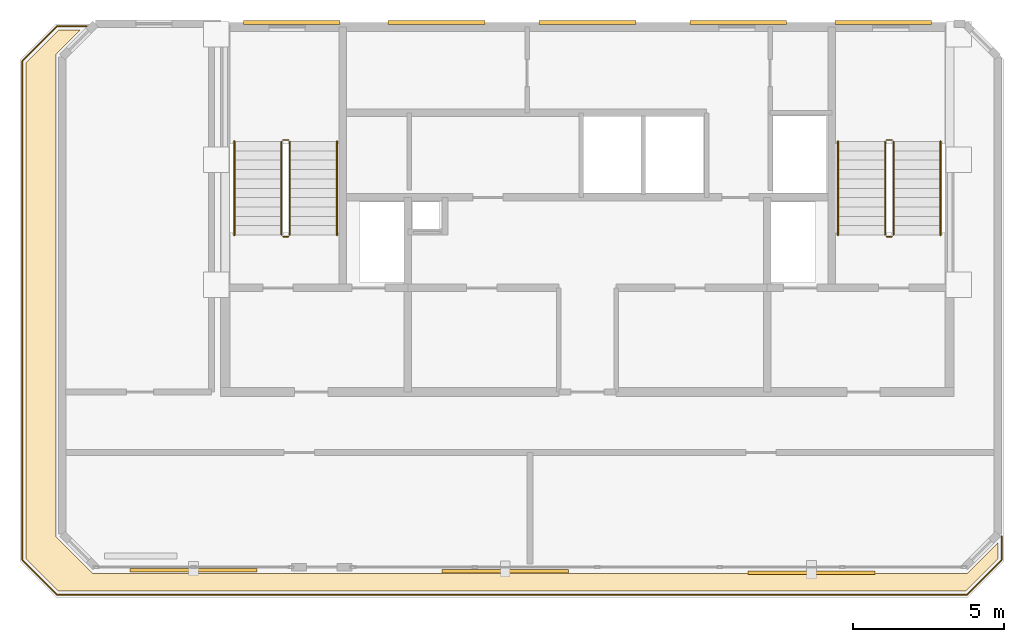
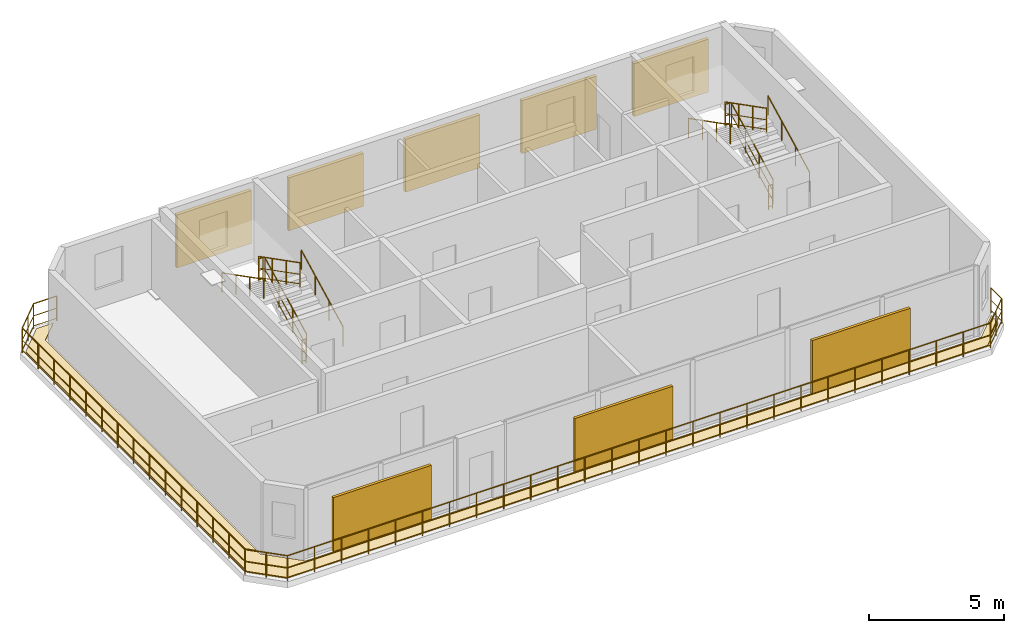
# One storey, part 6 of 6: 13 railings, 8 shading devices, 1 covering.
"""IFC4 building model written with IfcOpenShell, lengths in metres."""

from ifc_helpers import new_model, si_unit, direction, frame, origin, origin_2d, place, context, subcontext, project, spatial, polyline, rectangle, circle, outline, extrude, material, layer, layer_set, type_object, element, save


model = new_model("IFC4")

# Units and contexts
model_context = context("Model", 3, precision=1e-05, world=origin(), true_north=direction((0.0, 1.0)))
body_context = subcontext(model_context, "Body", "Model", "MODEL_VIEW")
ifc_project = project(units=[si_unit("LENGTHUNIT", "METRE"), si_unit("AREAUNIT", "SQUARE_METRE"), si_unit("VOLUMEUNIT", "CUBIC_METRE"), si_unit("PLANEANGLEUNIT", "RADIAN"), si_unit("MASSUNIT", "GRAM", prefix="KILO")], contexts=[model_context])

# Site, building, storey
site_placement = place(None, origin())
site = spatial("IfcSite", under=ifc_project, at=site_placement, CompositionType="ELEMENT")
building_placement = place(site_placement, origin())
building = spatial("IfcBuilding", under=site, at=building_placement, Name="Catumbela Crestline Tower", CompositionType="ELEMENT")
storey_placement = place(building_placement, frame((0.0, 0.0, 301.0)))
storey = spatial("IfcBuildingStorey", under=building, at=storey_placement, Name="L77", CompositionType="ELEMENT", Elevation=301.0)

# Covering
ifc_material_1 = material(Name="Polymer-modified bitumen and XPS roof membrane")
ifc_layer = layer(ifc_material_1, 0.05, Name="Polymer-modified bitumen and XPS roof membrane")
ifc_layer_set = layer_set([ifc_layer], Name="Polymer-modified bitumen and XPS roof membrane")
covering_type = type_object("IfcCoveringType", Name="CR-MEM", PredefinedType="ROOFING", material=ifc_layer_set)
covering_placement = place(storey_placement, origin())
element("IfcCovering", 1, at=covering_placement, inside=storey, type_object=covering_type, Name="L77 Crown Terrace Waterproofing Membrane 1", PredefinedType="ROOFING", context=body_context, shape_type="SweptSolid", body=[
    extrude(outline(polyline([(41.6, 25.803), (41.6, 25.2828), (40.5172, 24.2), (10.4828, 24.2), (9.4, 25.2828), (9.4, 41.7172), (10.4828, 42.8), (11.203, 42.8), (10.39, 41.987), (10.39, 26.013), (11.613, 24.79), (40.587, 24.79), (41.6, 25.803)])), origin(), (0.0, 0.0, 1.0), 0.05),
])

# Railings
ifc_material_2 = material(Name="Stainless steel EN 1.4401", Category="steel")
railing_type_1 = type_object("IfcRailingType", Name="RG-1100", PredefinedType="GUARDRAIL", material=ifc_material_2)
railing_1_placement = place(storey_placement, frame((18.14, 36.0, 0.1591)))
element("IfcRailing", 2, at=railing_1_placement, inside=storey, type_object=railing_type_1, Name="L77 ST-01 stair guard 1", PredefinedType="GUARDRAIL", context=body_context, shape_type="SweptSolid", body=[
    extrude(circle(Radius=0.024, at=origin_2d()), frame((0.0, 0.0, 1.076), z_axis=(0.0, 0.889682666616, 0.456579404619), x_axis=(-1.0, 0.0, 0.0)), (0.0, 0.0, 1.0), 3.4844),
    extrude(circle(Radius=0.0156, at=origin_2d()), frame((0.0, 0.0, 0.55), z_axis=(0.0, 0.889682666616, 0.456579404619), x_axis=(-1.0, 0.0, 0.0)), (0.0, 0.0, 1.0), 3.4844),
    extrude(circle(Radius=0.0156, at=origin_2d()), frame((0.0, 0.0, 0.12), z_axis=(0.0, 0.889682666616, 0.456579404619), x_axis=(-1.0, 0.0, 0.0)), (0.0, 0.0, 1.0), 3.4844),
    extrude(circle(Radius=0.021, at=origin_2d()), origin(), (0.0, 0.0, 1.0), 1.052),
    extrude(circle(Radius=0.021, at=origin_2d()), frame((0.0, 1.0333, 0.5303)), (0.0, 0.0, 1.0), 1.052),
    extrude(circle(Radius=0.021, at=origin_2d()), frame((0.0, 2.0667, 1.0606)), (0.0, 0.0, 1.0), 1.052),
    extrude(circle(Radius=0.021, at=origin_2d()), frame((0.0, 3.1, 1.5909)), (0.0, 0.0, 1.0), 1.052),
])
railing_2_placement = place(storey_placement, frame((18.09, 39.15, 1.75)))
element("IfcRailing", 3, at=railing_2_placement, inside=storey, type_object=railing_type_1, Name="L77 ST-01 stair guard 2", PredefinedType="GUARDRAIL", context=body_context, shape_type="SweptSolid", body=[
    extrude(circle(Radius=0.024, at=origin_2d()), frame((0.0, 0.0, 1.076), z_axis=(-1.0, 0.0, 0.0), x_axis=(0.0, -1.0, 0.0)), (0.0, 0.0, 1.0), 0.18),
    extrude(circle(Radius=0.0156, at=origin_2d()), frame((0.0, 0.0, 0.55), z_axis=(-1.0, 0.0, 0.0), x_axis=(0.0, -1.0, 0.0)), (0.0, 0.0, 1.0), 0.18),
    extrude(circle(Radius=0.0156, at=origin_2d()), frame((0.0, 0.0, 0.12), z_axis=(-1.0, 0.0, 0.0), x_axis=(0.0, -1.0, 0.0)), (0.0, 0.0, 1.0), 0.18),
    extrude(circle(Radius=0.021, at=origin_2d()), origin(), (0.0, 0.0, 1.0), 1.052),
    extrude(circle(Radius=0.021, at=origin_2d()), frame((-0.18, 0.0, 0.0)), (0.0, 0.0, 1.0), 1.052),
])
railing_3_placement = place(storey_placement, frame((17.86, 39.1, 1.9091)))
element("IfcRailing", 4, at=railing_3_placement, inside=storey, type_object=railing_type_1, Name="L77 ST-01 stair guard 3", PredefinedType="GUARDRAIL", context=body_context, shape_type="SweptSolid", body=[
    extrude(circle(Radius=0.024, at=origin_2d()), frame((0.0, 0.0, 1.076), z_axis=(0.0, -0.889682666616, 0.456579404619), x_axis=(1.0, 0.0, 0.0)), (0.0, 0.0, 1.0), 3.4844),
    extrude(circle(Radius=0.0156, at=origin_2d()), frame((0.0, 0.0, 0.55), z_axis=(0.0, -0.889682666616, 0.456579404619), x_axis=(1.0, 0.0, 0.0)), (0.0, 0.0, 1.0), 3.4844),
    extrude(circle(Radius=0.0156, at=origin_2d()), frame((0.0, 0.0, 0.12), z_axis=(0.0, -0.889682666616, 0.456579404619), x_axis=(1.0, 0.0, 0.0)), (0.0, 0.0, 1.0), 3.4844),
    extrude(circle(Radius=0.021, at=origin_2d()), origin(), (0.0, 0.0, 1.0), 1.052),
    extrude(circle(Radius=0.021, at=origin_2d()), frame((0.0, -1.0333, 0.5303)), (0.0, 0.0, 1.0), 1.052),
    extrude(circle(Radius=0.021, at=origin_2d()), frame((0.0, -2.0667, 1.0606)), (0.0, 0.0, 1.0), 1.052),
    extrude(circle(Radius=0.021, at=origin_2d()), frame((0.0, -3.1, 1.5909)), (0.0, 0.0, 1.0), 1.052),
])
railing_4_placement = place(storey_placement, frame((18.09, 35.95, 0.0)))
element("IfcRailing", 5, at=railing_4_placement, inside=storey, type_object=railing_type_1, Name="L77 ST-01 stair guard 4", PredefinedType="GUARDRAIL", context=body_context, shape_type="SweptSolid", body=[
    extrude(circle(Radius=0.024, at=origin_2d()), frame((0.0, 0.0, 1.076), z_axis=(-1.0, 0.0, 0.0), x_axis=(0.0, -1.0, 0.0)), (0.0, 0.0, 1.0), 0.18),
    extrude(circle(Radius=0.0156, at=origin_2d()), frame((0.0, 0.0, 0.55), z_axis=(-1.0, 0.0, 0.0), x_axis=(0.0, -1.0, 0.0)), (0.0, 0.0, 1.0), 0.18),
    extrude(circle(Radius=0.0156, at=origin_2d()), frame((0.0, 0.0, 0.12), z_axis=(-1.0, 0.0, 0.0), x_axis=(0.0, -1.0, 0.0)), (0.0, 0.0, 1.0), 0.18),
    extrude(circle(Radius=0.021, at=origin_2d()), origin(), (0.0, 0.0, 1.0), 1.052),
    extrude(circle(Radius=0.021, at=origin_2d()), frame((-0.18, 0.0, 0.0)), (0.0, 0.0, 1.0), 1.052),
])
railing_5_placement = place(storey_placement, frame((38.14, 36.0, 0.1591)))
element("IfcRailing", 6, at=railing_5_placement, inside=storey, type_object=railing_type_1, Name="L77 ST-02 stair guard 1", PredefinedType="GUARDRAIL", context=body_context, shape_type="SweptSolid", body=[
    extrude(circle(Radius=0.024, at=origin_2d()), frame((0.0, 0.0, 1.076), z_axis=(0.0, 0.889682666616, 0.456579404619), x_axis=(-1.0, 0.0, 0.0)), (0.0, 0.0, 1.0), 3.4844),
    extrude(circle(Radius=0.0156, at=origin_2d()), frame((0.0, 0.0, 0.55), z_axis=(0.0, 0.889682666616, 0.456579404619), x_axis=(-1.0, 0.0, 0.0)), (0.0, 0.0, 1.0), 3.4844),
    extrude(circle(Radius=0.0156, at=origin_2d()), frame((0.0, 0.0, 0.12), z_axis=(0.0, 0.889682666616, 0.456579404619), x_axis=(-1.0, 0.0, 0.0)), (0.0, 0.0, 1.0), 3.4844),
    extrude(circle(Radius=0.021, at=origin_2d()), origin(), (0.0, 0.0, 1.0), 1.052),
    extrude(circle(Radius=0.021, at=origin_2d()), frame((0.0, 1.0333, 0.5303)), (0.0, 0.0, 1.0), 1.052),
    extrude(circle(Radius=0.021, at=origin_2d()), frame((0.0, 2.0667, 1.0606)), (0.0, 0.0, 1.0), 1.052),
    extrude(circle(Radius=0.021, at=origin_2d()), frame((0.0, 3.1, 1.5909)), (0.0, 0.0, 1.0), 1.052),
])
railing_6_placement = place(storey_placement, frame((38.09, 39.15, 1.75)))
element("IfcRailing", 7, at=railing_6_placement, inside=storey, type_object=railing_type_1, Name="L77 ST-02 stair guard 2", PredefinedType="GUARDRAIL", context=body_context, shape_type="SweptSolid", body=[
    extrude(circle(Radius=0.024, at=origin_2d()), frame((0.0, 0.0, 1.076), z_axis=(-1.0, 0.0, 0.0), x_axis=(0.0, -1.0, 0.0)), (0.0, 0.0, 1.0), 0.18),
    extrude(circle(Radius=0.0156, at=origin_2d()), frame((0.0, 0.0, 0.55), z_axis=(-1.0, 0.0, 0.0), x_axis=(0.0, -1.0, 0.0)), (0.0, 0.0, 1.0), 0.18),
    extrude(circle(Radius=0.0156, at=origin_2d()), frame((0.0, 0.0, 0.12), z_axis=(-1.0, 0.0, 0.0), x_axis=(0.0, -1.0, 0.0)), (0.0, 0.0, 1.0), 0.18),
    extrude(circle(Radius=0.021, at=origin_2d()), origin(), (0.0, 0.0, 1.0), 1.052),
    extrude(circle(Radius=0.021, at=origin_2d()), frame((-0.18, 0.0, 0.0)), (0.0, 0.0, 1.0), 1.052),
])
railing_7_placement = place(storey_placement, frame((37.86, 39.1, 1.9091)))
element("IfcRailing", 8, at=railing_7_placement, inside=storey, type_object=railing_type_1, Name="L77 ST-02 stair guard 3", PredefinedType="GUARDRAIL", context=body_context, shape_type="SweptSolid", body=[
    extrude(circle(Radius=0.024, at=origin_2d()), frame((0.0, 0.0, 1.076), z_axis=(0.0, -0.889682666616, 0.456579404619), x_axis=(1.0, 0.0, 0.0)), (0.0, 0.0, 1.0), 3.4844),
    extrude(circle(Radius=0.0156, at=origin_2d()), frame((0.0, 0.0, 0.55), z_axis=(0.0, -0.889682666616, 0.456579404619), x_axis=(1.0, 0.0, 0.0)), (0.0, 0.0, 1.0), 3.4844),
    extrude(circle(Radius=0.0156, at=origin_2d()), frame((0.0, 0.0, 0.12), z_axis=(0.0, -0.889682666616, 0.456579404619), x_axis=(1.0, 0.0, 0.0)), (0.0, 0.0, 1.0), 3.4844),
    extrude(circle(Radius=0.021, at=origin_2d()), origin(), (0.0, 0.0, 1.0), 1.052),
    extrude(circle(Radius=0.021, at=origin_2d()), frame((0.0, -1.0333, 0.5303)), (0.0, 0.0, 1.0), 1.052),
    extrude(circle(Radius=0.021, at=origin_2d()), frame((0.0, -2.0667, 1.0606)), (0.0, 0.0, 1.0), 1.052),
    extrude(circle(Radius=0.021, at=origin_2d()), frame((0.0, -3.1, 1.5909)), (0.0, 0.0, 1.0), 1.052),
])
railing_8_placement = place(storey_placement, frame((38.09, 35.95, 0.0)))
element("IfcRailing", 9, at=railing_8_placement, inside=storey, type_object=railing_type_1, Name="L77 ST-02 stair guard 4", PredefinedType="GUARDRAIL", context=body_context, shape_type="SweptSolid", body=[
    extrude(circle(Radius=0.024, at=origin_2d()), frame((0.0, 0.0, 1.076), z_axis=(-1.0, 0.0, 0.0), x_axis=(0.0, -1.0, 0.0)), (0.0, 0.0, 1.0), 0.18),
    extrude(circle(Radius=0.0156, at=origin_2d()), frame((0.0, 0.0, 0.55), z_axis=(-1.0, 0.0, 0.0), x_axis=(0.0, -1.0, 0.0)), (0.0, 0.0, 1.0), 0.18),
    extrude(circle(Radius=0.0156, at=origin_2d()), frame((0.0, 0.0, 0.12), z_axis=(-1.0, 0.0, 0.0), x_axis=(0.0, -1.0, 0.0)), (0.0, 0.0, 1.0), 0.18),
    extrude(circle(Radius=0.021, at=origin_2d()), origin(), (0.0, 0.0, 1.0), 1.052),
    extrude(circle(Radius=0.021, at=origin_2d()), frame((-0.18, 0.0, 0.0)), (0.0, 0.0, 1.0), 1.052),
])
railing_type_2 = type_object("IfcRailingType", Name="RH-0900", PredefinedType="HANDRAIL", material=ifc_material_2)
railing_9_placement = place(storey_placement, frame((19.7, 36.0, 0.1591)))
element("IfcRailing", 10, at=railing_9_placement, inside=storey, type_object=railing_type_2, Name="L77 ST-01 stair handrail 1", PredefinedType="HANDRAIL", context=body_context, shape_type="SweptSolid", body=[
    extrude(circle(Radius=0.024, at=origin_2d()), frame((0.0, 0.0, 0.876), z_axis=(0.0, 0.889682666616, 0.456579404619), x_axis=(-1.0, 0.0, 0.0)), (0.0, 0.0, 1.0), 3.4844),
    extrude(circle(Radius=0.021, at=origin_2d()), origin(), (0.0, 0.0, 1.0), 0.852),
    extrude(circle(Radius=0.021, at=origin_2d()), frame((0.0, 1.0333, 0.5303)), (0.0, 0.0, 1.0), 0.852),
    extrude(circle(Radius=0.021, at=origin_2d()), frame((0.0, 2.0667, 1.0606)), (0.0, 0.0, 1.0), 0.852),
    extrude(circle(Radius=0.021, at=origin_2d()), frame((0.0, 3.1, 1.5909)), (0.0, 0.0, 1.0), 0.852),
])
railing_10_placement = place(storey_placement, frame((16.3, 39.1, 1.9091)))
element("IfcRailing", 11, at=railing_10_placement, inside=storey, type_object=railing_type_2, Name="L77 ST-01 stair handrail 2", PredefinedType="HANDRAIL", context=body_context, shape_type="SweptSolid", body=[
    extrude(circle(Radius=0.024, at=origin_2d()), frame((0.0, 0.0, 0.876), z_axis=(0.0, -0.889682666616, 0.456579404619), x_axis=(1.0, 0.0, 0.0)), (0.0, 0.0, 1.0), 3.4844),
    extrude(circle(Radius=0.021, at=origin_2d()), origin(), (0.0, 0.0, 1.0), 0.852),
    extrude(circle(Radius=0.021, at=origin_2d()), frame((0.0, -1.0333, 0.5303)), (0.0, 0.0, 1.0), 0.852),
    extrude(circle(Radius=0.021, at=origin_2d()), frame((0.0, -2.0667, 1.0606)), (0.0, 0.0, 1.0), 0.852),
    extrude(circle(Radius=0.021, at=origin_2d()), frame((0.0, -3.1, 1.5909)), (0.0, 0.0, 1.0), 0.852),
])
railing_11_placement = place(storey_placement, frame((39.7, 36.0, 0.1591)))
element("IfcRailing", 12, at=railing_11_placement, inside=storey, type_object=railing_type_2, Name="L77 ST-02 stair handrail 1", PredefinedType="HANDRAIL", context=body_context, shape_type="SweptSolid", body=[
    extrude(circle(Radius=0.024, at=origin_2d()), frame((0.0, 0.0, 0.876), z_axis=(0.0, 0.889682666616, 0.456579404619), x_axis=(-1.0, 0.0, 0.0)), (0.0, 0.0, 1.0), 3.4844),
    extrude(circle(Radius=0.021, at=origin_2d()), origin(), (0.0, 0.0, 1.0), 0.852),
    extrude(circle(Radius=0.021, at=origin_2d()), frame((0.0, 1.0333, 0.5303)), (0.0, 0.0, 1.0), 0.852),
    extrude(circle(Radius=0.021, at=origin_2d()), frame((0.0, 2.0667, 1.0606)), (0.0, 0.0, 1.0), 0.852),
    extrude(circle(Radius=0.021, at=origin_2d()), frame((0.0, 3.1, 1.5909)), (0.0, 0.0, 1.0), 0.852),
])
railing_12_placement = place(storey_placement, frame((36.3, 39.1, 1.9091)))
element("IfcRailing", 13, at=railing_12_placement, inside=storey, type_object=railing_type_2, Name="L77 ST-02 stair handrail 2", PredefinedType="HANDRAIL", context=body_context, shape_type="SweptSolid", body=[
    extrude(circle(Radius=0.024, at=origin_2d()), frame((0.0, 0.0, 0.876), z_axis=(0.0, -0.889682666616, 0.456579404619), x_axis=(1.0, 0.0, 0.0)), (0.0, 0.0, 1.0), 3.4844),
    extrude(circle(Radius=0.021, at=origin_2d()), origin(), (0.0, 0.0, 1.0), 0.852),
    extrude(circle(Radius=0.021, at=origin_2d()), frame((0.0, -1.0333, 0.5303)), (0.0, 0.0, 1.0), 0.852),
    extrude(circle(Radius=0.021, at=origin_2d()), frame((0.0, -2.0667, 1.0606)), (0.0, 0.0, 1.0), 0.852),
    extrude(circle(Radius=0.021, at=origin_2d()), frame((0.0, -3.1, 1.5909)), (0.0, 0.0, 1.0), 0.852),
])
railing_type_3 = type_object("IfcRailingType", Name="RT-1150", PredefinedType="BALUSTRADE", material=ifc_material_2)
railing_13_placement = place(storey_placement, frame((41.72, 26.022, 0.0)))
element("IfcRailing", 14, at=railing_13_placement, inside=storey, type_object=railing_type_3, Name="L77 Stepped Terrace Balustrade 1-1", PredefinedType="BALUSTRADE", context=body_context, shape_type="SweptSolid", body=[
    extrude(circle(Radius=0.024, at=origin_2d()), frame((0.0, 0.0, 1.126), z_axis=(0.0, -1.0, 0.0), x_axis=(1.0, 0.0, 0.0)), (0.0, 0.0, 1.0), 0.7889),
    extrude(circle(Radius=0.0156, at=origin_2d()), frame((0.0, 0.0, 0.575), z_axis=(0.0, -1.0, 0.0), x_axis=(1.0, 0.0, 0.0)), (0.0, 0.0, 1.0), 0.7889),
    extrude(circle(Radius=0.0156, at=origin_2d()), frame((0.0, 0.0, 0.12), z_axis=(0.0, -1.0, 0.0), x_axis=(1.0, 0.0, 0.0)), (0.0, 0.0, 1.0), 0.7889),
    extrude(circle(Radius=0.024, at=origin_2d()), frame((0.0, -0.7889, 1.126), z_axis=(-0.707106781187, -0.707106781187, 0.0), x_axis=(0.707106781187, -0.707106781187, 0.0)), (0.0, 0.0, 1.0), 1.6307),
    extrude(circle(Radius=0.0156, at=origin_2d()), frame((0.0, -0.7889, 0.575), z_axis=(-0.707106781187, -0.707106781187, 0.0), x_axis=(0.707106781187, -0.707106781187, 0.0)), (0.0, 0.0, 1.0), 1.6307),
    extrude(circle(Radius=0.0156, at=origin_2d()), frame((0.0, -0.7889, 0.12), z_axis=(-0.707106781187, -0.707106781187, 0.0), x_axis=(0.707106781187, -0.707106781187, 0.0)), (0.0, 0.0, 1.0), 1.6307),
    extrude(circle(Radius=0.024, at=origin_2d()), frame((-1.1531, -1.942, 1.126), z_axis=(-1.0, 0.0, 0.0), x_axis=(0.0, -1.0, 0.0)), (0.0, 0.0, 1.0), 30.1338),
    extrude(circle(Radius=0.0156, at=origin_2d()), frame((-1.1531, -1.942, 0.575), z_axis=(-1.0, 0.0, 0.0), x_axis=(0.0, -1.0, 0.0)), (0.0, 0.0, 1.0), 30.1338),
    extrude(circle(Radius=0.0156, at=origin_2d()), frame((-1.1531, -1.942, 0.12), z_axis=(-1.0, 0.0, 0.0), x_axis=(0.0, -1.0, 0.0)), (0.0, 0.0, 1.0), 30.1338),
    extrude(circle(Radius=0.024, at=origin_2d()), frame((-31.2869, -1.942, 1.126), z_axis=(-0.707106781187, 0.707106781187, 0.0), x_axis=(-0.707106781187, -0.707106781187, 0.0)), (0.0, 0.0, 1.0), 1.6307),
    extrude(circle(Radius=0.0156, at=origin_2d()), frame((-31.2869, -1.942, 0.575), z_axis=(-0.707106781187, 0.707106781187, 0.0), x_axis=(-0.707106781187, -0.707106781187, 0.0)), (0.0, 0.0, 1.0), 1.6307),
    extrude(circle(Radius=0.0156, at=origin_2d()), frame((-31.2869, -1.942, 0.12), z_axis=(-0.707106781187, 0.707106781187, 0.0), x_axis=(-0.707106781187, -0.707106781187, 0.0)), (0.0, 0.0, 1.0), 1.6307),
    extrude(circle(Radius=0.024, at=origin_2d()), frame((-32.44, -0.7889, 1.126), z_axis=(0.0, 1.0, 0.0), x_axis=(-1.0, 0.0, 0.0)), (0.0, 0.0, 1.0), 16.5338),
    extrude(circle(Radius=0.0156, at=origin_2d()), frame((-32.44, -0.7889, 0.575), z_axis=(0.0, 1.0, 0.0), x_axis=(-1.0, 0.0, 0.0)), (0.0, 0.0, 1.0), 16.5338),
    extrude(circle(Radius=0.0156, at=origin_2d()), frame((-32.44, -0.7889, 0.12), z_axis=(0.0, 1.0, 0.0), x_axis=(-1.0, 0.0, 0.0)), (0.0, 0.0, 1.0), 16.5338),
    extrude(circle(Radius=0.024, at=origin_2d()), frame((-32.44, 15.7449, 1.126), z_axis=(0.707106781187, 0.707106781187, 0.0), x_axis=(-0.707106781187, 0.707106781187, 0.0)), (0.0, 0.0, 1.0), 1.6307),
    extrude(circle(Radius=0.0156, at=origin_2d()), frame((-32.44, 15.7449, 0.575), z_axis=(0.707106781187, 0.707106781187, 0.0), x_axis=(-0.707106781187, 0.707106781187, 0.0)), (0.0, 0.0, 1.0), 1.6307),
    extrude(circle(Radius=0.0156, at=origin_2d()), frame((-32.44, 15.7449, 0.12), z_axis=(0.707106781187, 0.707106781187, 0.0), x_axis=(-0.707106781187, 0.707106781187, 0.0)), (0.0, 0.0, 1.0), 1.6307),
    extrude(circle(Radius=0.024, at=origin_2d()), frame((-31.2869, 16.898, 1.126), z_axis=(1.0, 0.0, 0.0), x_axis=(0.0, 1.0, 0.0)), (0.0, 0.0, 1.0), 0.9889),
    extrude(circle(Radius=0.0156, at=origin_2d()), frame((-31.2869, 16.898, 0.575), z_axis=(1.0, 0.0, 0.0), x_axis=(0.0, 1.0, 0.0)), (0.0, 0.0, 1.0), 0.9889),
    extrude(circle(Radius=0.0156, at=origin_2d()), frame((-31.2869, 16.898, 0.12), z_axis=(1.0, 0.0, 0.0), x_axis=(0.0, 1.0, 0.0)), (0.0, 0.0, 1.0), 0.9889),
    extrude(circle(Radius=0.021, at=origin_2d()), origin(), (0.0, 0.0, 1.0), 1.102),
    extrude(circle(Radius=0.021, at=origin_2d()), frame((0.0, -0.7889, 0.0)), (0.0, 0.0, 1.0), 1.102),
    extrude(circle(Radius=0.021, at=origin_2d()), frame((-0.5766, -1.3654, 0.0)), (0.0, 0.0, 1.0), 1.102),
    extrude(circle(Radius=0.021, at=origin_2d()), frame((-1.1531, -1.942, 0.0)), (0.0, 0.0, 1.0), 1.102),
    extrude(circle(Radius=0.021, at=origin_2d()), frame((-2.3121, -1.942, 0.0)), (0.0, 0.0, 1.0), 1.102),
    extrude(circle(Radius=0.021, at=origin_2d()), frame((-3.4711, -1.942, 0.0)), (0.0, 0.0, 1.0), 1.102),
    extrude(circle(Radius=0.021, at=origin_2d()), frame((-4.6301, -1.942, 0.0)), (0.0, 0.0, 1.0), 1.102),
    extrude(circle(Radius=0.021, at=origin_2d()), frame((-5.7891, -1.942, 0.0)), (0.0, 0.0, 1.0), 1.102),
    extrude(circle(Radius=0.021, at=origin_2d()), frame((-6.9481, -1.942, 0.0)), (0.0, 0.0, 1.0), 1.102),
    extrude(circle(Radius=0.021, at=origin_2d()), frame((-8.1071, -1.942, 0.0)), (0.0, 0.0, 1.0), 1.102),
    extrude(circle(Radius=0.021, at=origin_2d()), frame((-9.266, -1.942, 0.0)), (0.0, 0.0, 1.0), 1.102),
    extrude(circle(Radius=0.021, at=origin_2d()), frame((-10.425, -1.942, 0.0)), (0.0, 0.0, 1.0), 1.102),
    extrude(circle(Radius=0.021, at=origin_2d()), frame((-11.584, -1.942, 0.0)), (0.0, 0.0, 1.0), 1.102),
    extrude(circle(Radius=0.021, at=origin_2d()), frame((-12.743, -1.942, 0.0)), (0.0, 0.0, 1.0), 1.102),
    extrude(circle(Radius=0.021, at=origin_2d()), frame((-13.902, -1.942, 0.0)), (0.0, 0.0, 1.0), 1.102),
    extrude(circle(Radius=0.021, at=origin_2d()), frame((-15.061, -1.942, 0.0)), (0.0, 0.0, 1.0), 1.102),
    extrude(circle(Radius=0.021, at=origin_2d()), frame((-16.22, -1.942, 0.0)), (0.0, 0.0, 1.0), 1.102),
    extrude(circle(Radius=0.021, at=origin_2d()), frame((-17.379, -1.942, 0.0)), (0.0, 0.0, 1.0), 1.102),
    extrude(circle(Radius=0.021, at=origin_2d()), frame((-18.538, -1.942, 0.0)), (0.0, 0.0, 1.0), 1.102),
    extrude(circle(Radius=0.021, at=origin_2d()), frame((-19.697, -1.942, 0.0)), (0.0, 0.0, 1.0), 1.102),
    extrude(circle(Radius=0.021, at=origin_2d()), frame((-20.856, -1.942, 0.0)), (0.0, 0.0, 1.0), 1.102),
    extrude(circle(Radius=0.021, at=origin_2d()), frame((-22.015, -1.942, 0.0)), (0.0, 0.0, 1.0), 1.102),
    extrude(circle(Radius=0.021, at=origin_2d()), frame((-23.174, -1.942, 0.0)), (0.0, 0.0, 1.0), 1.102),
    extrude(circle(Radius=0.021, at=origin_2d()), frame((-24.3329, -1.942, 0.0)), (0.0, 0.0, 1.0), 1.102),
    extrude(circle(Radius=0.021, at=origin_2d()), frame((-25.4919, -1.942, 0.0)), (0.0, 0.0, 1.0), 1.102),
    extrude(circle(Radius=0.021, at=origin_2d()), frame((-26.6509, -1.942, 0.0)), (0.0, 0.0, 1.0), 1.102),
    extrude(circle(Radius=0.021, at=origin_2d()), frame((-27.8099, -1.942, 0.0)), (0.0, 0.0, 1.0), 1.102),
    extrude(circle(Radius=0.021, at=origin_2d()), frame((-28.9689, -1.942, 0.0)), (0.0, 0.0, 1.0), 1.102),
    extrude(circle(Radius=0.021, at=origin_2d()), frame((-30.1279, -1.942, 0.0)), (0.0, 0.0, 1.0), 1.102),
    extrude(circle(Radius=0.021, at=origin_2d()), frame((-31.2869, -1.942, 0.0)), (0.0, 0.0, 1.0), 1.102),
    extrude(circle(Radius=0.021, at=origin_2d()), frame((-31.8634, -1.3654, 0.0)), (0.0, 0.0, 1.0), 1.102),
    extrude(circle(Radius=0.021, at=origin_2d()), frame((-32.44, -0.7889, 0.0)), (0.0, 0.0, 1.0), 1.102),
    extrude(circle(Radius=0.021, at=origin_2d()), frame((-32.44, 0.3921, 0.0)), (0.0, 0.0, 1.0), 1.102),
    extrude(circle(Radius=0.021, at=origin_2d()), frame((-32.44, 1.5731, 0.0)), (0.0, 0.0, 1.0), 1.102),
    extrude(circle(Radius=0.021, at=origin_2d()), frame((-32.44, 2.7541, 0.0)), (0.0, 0.0, 1.0), 1.102),
    extrude(circle(Radius=0.021, at=origin_2d()), frame((-32.44, 3.935, 0.0)), (0.0, 0.0, 1.0), 1.102),
    extrude(circle(Radius=0.021, at=origin_2d()), frame((-32.44, 5.116, 0.0)), (0.0, 0.0, 1.0), 1.102),
    extrude(circle(Radius=0.021, at=origin_2d()), frame((-32.44, 6.297, 0.0)), (0.0, 0.0, 1.0), 1.102),
    extrude(circle(Radius=0.021, at=origin_2d()), frame((-32.44, 7.478, 0.0)), (0.0, 0.0, 1.0), 1.102),
    extrude(circle(Radius=0.021, at=origin_2d()), frame((-32.44, 8.659, 0.0)), (0.0, 0.0, 1.0), 1.102),
    extrude(circle(Radius=0.021, at=origin_2d()), frame((-32.44, 9.84, 0.0)), (0.0, 0.0, 1.0), 1.102),
    extrude(circle(Radius=0.021, at=origin_2d()), frame((-32.44, 11.021, 0.0)), (0.0, 0.0, 1.0), 1.102),
    extrude(circle(Radius=0.021, at=origin_2d()), frame((-32.44, 12.2019, 0.0)), (0.0, 0.0, 1.0), 1.102),
    extrude(circle(Radius=0.021, at=origin_2d()), frame((-32.44, 13.3829, 0.0)), (0.0, 0.0, 1.0), 1.102),
    extrude(circle(Radius=0.021, at=origin_2d()), frame((-32.44, 14.5639, 0.0)), (0.0, 0.0, 1.0), 1.102),
    extrude(circle(Radius=0.021, at=origin_2d()), frame((-32.44, 15.7449, 0.0)), (0.0, 0.0, 1.0), 1.102),
    extrude(circle(Radius=0.021, at=origin_2d()), frame((-31.8634, 16.3215, 0.0)), (0.0, 0.0, 1.0), 1.102),
    extrude(circle(Radius=0.021, at=origin_2d()), frame((-31.2869, 16.898, 0.0)), (0.0, 0.0, 1.0), 1.102),
    extrude(circle(Radius=0.021, at=origin_2d()), frame((-30.298, 16.898, 0.0)), (0.0, 0.0, 1.0), 1.102),
])

# Shading devices
ifc_material_3 = material(Name="Extruded terracotta ceramic", Category="masonry")
shading_device_type_1 = type_object("IfcShadingDeviceType", Name="ST-180", PredefinedType="USERDEFINED", material=ifc_material_3)
shading_device_1_placement = place(storey_placement, frame((23.0, 43.04, 0.55), z_axis=(0.0, 0.0, 1.0), x_axis=(1.0, 0.0, 0.0)))
element("IfcShadingDevice", 15, at=shading_device_1_placement, inside=storey, type_object=shading_device_type_1, Name="L77 Rear Core Terracotta Brise-Soleil Screen 935", ObjectType="SCREEN", PredefinedType="USERDEFINED", context=body_context, shape_type="SweptSolid", body=[
    extrude(rectangle(XDim=3.2, YDim=0.14, at=origin_2d()), origin(), (0.0, 0.0, 1.0), 2.4),
])
shading_device_2_placement = place(storey_placement, frame((14.95, 24.901, -0.1), z_axis=(0.0, 0.0, 1.0), x_axis=(1.0, 0.0, 0.0)))
element("IfcShadingDevice", 16, at=shading_device_2_placement, inside=storey, type_object=shading_device_type_1, Name="L77 Perforated Terracotta Solar Screen 939 (180 mm)", ObjectType="SCREEN", PredefinedType="USERDEFINED", context=body_context, shape_type="SweptSolid", body=[
    extrude(rectangle(XDim=4.2, YDim=0.12, at=origin_2d()), origin(), (0.0, 0.0, 1.0), 2.55),
])
shading_device_type_2 = type_object("IfcShadingDeviceType", Name="ST-260", PredefinedType="USERDEFINED", material=ifc_material_3)
for number, where, z_axis, x_axis, name in (
    (17, (18.2, 43.04, 0.55), (0.0, 0.0, 1.0), (1.0, 0.0, 0.0), "L77 Rear Core Terracotta Brise-Soleil Screen 934"),
    (18, (33.0, 43.04, 0.55), (0.0, 0.0, 1.0), (1.0, 0.0, 0.0), "L77 Rear Core Terracotta Brise-Soleil Screen 937"),
):
    element("IfcShadingDevice", number, at=place(storey_placement, frame(where, z_axis=z_axis, x_axis=x_axis)), inside=storey, type_object=shading_device_type_2, Name=name, ObjectType="SCREEN", PredefinedType="USERDEFINED", context=body_context, shape_type="SweptSolid", body=[
        extrude(rectangle(XDim=3.2, YDim=0.14, at=origin_2d()), origin(), (0.0, 0.0, 1.0), 2.4),
    ])
shading_device_3_placement = place(storey_placement, frame((25.275, 24.857, -0.1), z_axis=(0.0, 0.0, 1.0), x_axis=(1.0, 0.0, 0.0)))
element("IfcShadingDevice", 19, at=shading_device_3_placement, inside=storey, type_object=shading_device_type_2, Name="L77 Perforated Terracotta Solar Screen 940 (260 mm)", ObjectType="SCREEN", PredefinedType="USERDEFINED", context=body_context, shape_type="SweptSolid", body=[
    extrude(rectangle(XDim=4.2, YDim=0.12, at=origin_2d()), origin(), (0.0, 0.0, 1.0), 2.55),
])
shading_device_type_3 = type_object("IfcShadingDeviceType", Name="ST-340", PredefinedType="USERDEFINED", material=ifc_material_3)
for number, where, z_axis, x_axis, name in (
    (20, (28.0, 43.04, 0.55), (0.0, 0.0, 1.0), (1.0, 0.0, 0.0), "L77 Rear Core Terracotta Brise-Soleil Screen 936"),
    (21, (37.8, 43.04, 0.55), (0.0, 0.0, 1.0), (1.0, 0.0, 0.0), "L77 Rear Core Terracotta Brise-Soleil Screen 938"),
):
    element("IfcShadingDevice", number, at=place(storey_placement, frame(where, z_axis=z_axis, x_axis=x_axis)), inside=storey, type_object=shading_device_type_3, Name=name, ObjectType="SCREEN", PredefinedType="USERDEFINED", context=body_context, shape_type="SweptSolid", body=[
        extrude(rectangle(XDim=3.2, YDim=0.14, at=origin_2d()), origin(), (0.0, 0.0, 1.0), 2.4),
    ])
shading_device_4_placement = place(storey_placement, frame((35.425, 24.813, -0.1), z_axis=(0.0, 0.0, 1.0), x_axis=(1.0, 0.0, 0.0)))
element("IfcShadingDevice", 22, at=shading_device_4_placement, inside=storey, type_object=shading_device_type_3, Name="L77 Perforated Terracotta Solar Screen 941 (340 mm)", ObjectType="SCREEN", PredefinedType="USERDEFINED", context=body_context, shape_type="SweptSolid", body=[
    extrude(rectangle(XDim=4.2, YDim=0.12, at=origin_2d()), origin(), (0.0, 0.0, 1.0), 2.55),
])

save(model, "model.ifc")
